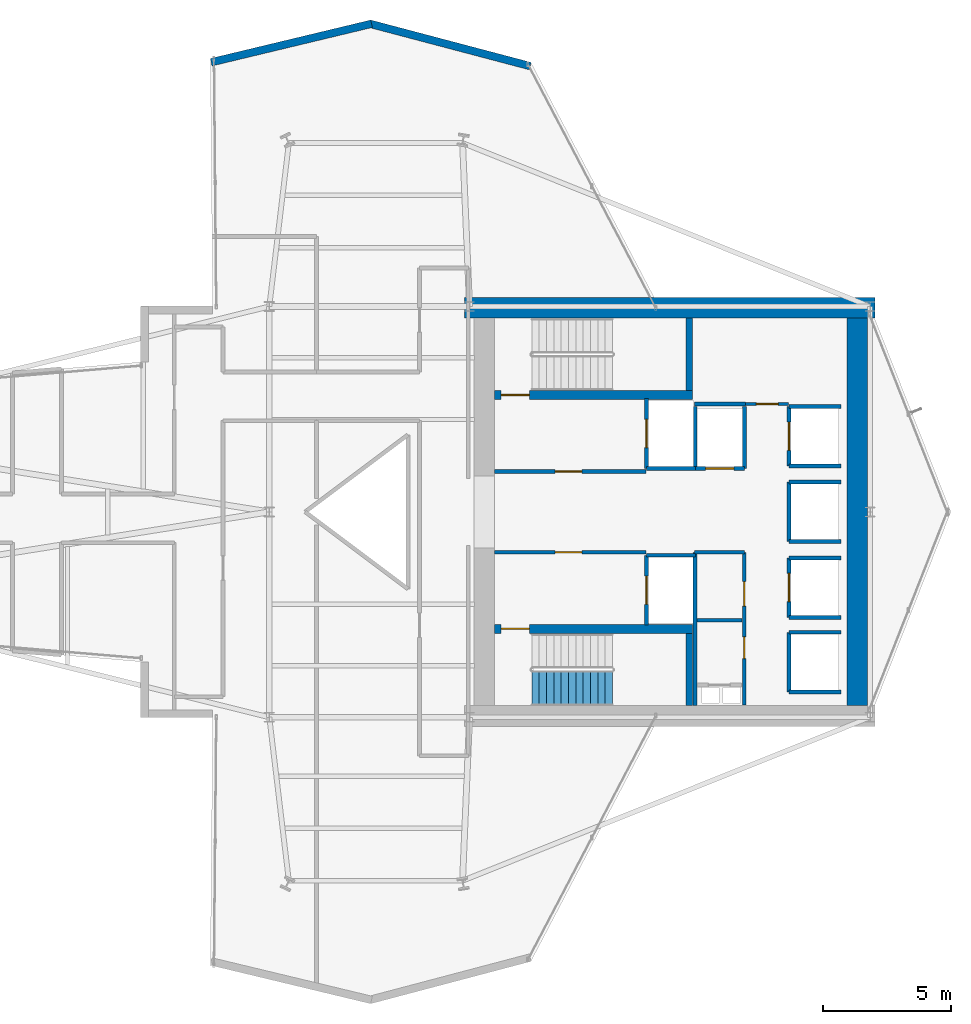
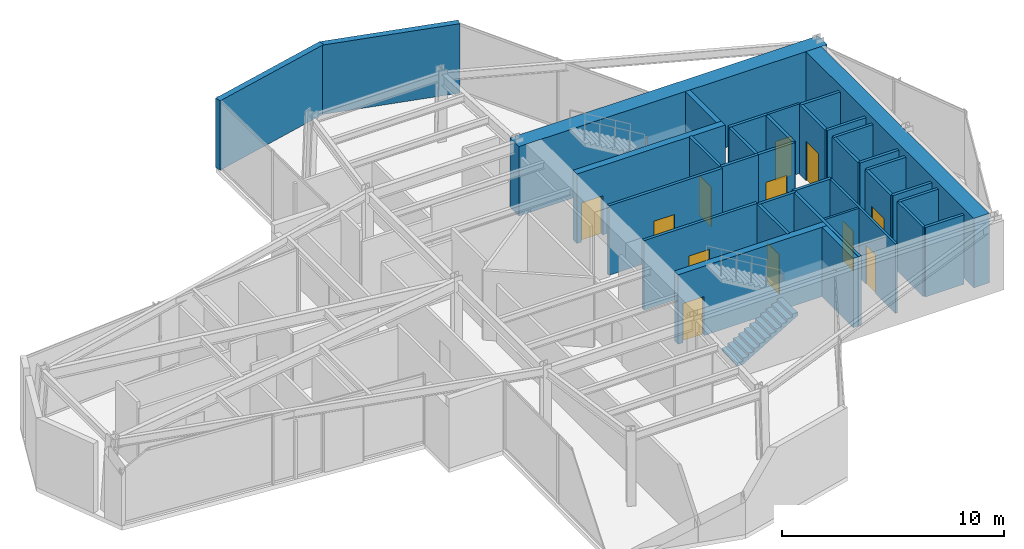
# One storey, part 23 of 25: 35 walls, 12 doors, 1 stair flight, 12 openings, 1 element without a shape of its own.
"""IFC4 building model written with IfcOpenShell, lengths in metres."""

from ifc_helpers import new_model, si_unit, direction, frame, frame_2d, origin, place, context, subcontext, project, spatial, polyline, rectangle, outline, extrude, material, layer, layer_set, type_object, element, fill, aggregate, save


model = new_model("IFC4")

# Units and contexts
model_context = context("Model", 3, precision=1e-05, world=origin(), true_north=direction((0.0, 1.0)))
body_context = subcontext(model_context, "Body", "Model", "MODEL_VIEW")
ifc_project = project(units=[si_unit("LENGTHUNIT", "METRE"), si_unit("AREAUNIT", "SQUARE_METRE"), si_unit("VOLUMEUNIT", "CUBIC_METRE"), si_unit("PLANEANGLEUNIT", "RADIAN"), si_unit("MASSUNIT", "GRAM", prefix="KILO")], contexts=[model_context])

# Site, building, storey
site_placement = place(None, origin())
site = spatial("IfcSite", under=ifc_project, at=site_placement, CompositionType="ELEMENT")
building_placement = place(site_placement, origin())
building = spatial("IfcBuilding", under=site, at=building_placement, Name="Veymaron Broadcast Tower", CompositionType="ELEMENT")
storey_placement = place(building_placement, frame((0.0, 0.0, 149.25)))
storey = spatial("IfcBuildingStorey", under=building, at=storey_placement, Name="L34", CompositionType="ELEMENT", Elevation=149.25)

# Walls
ifc_material_1 = material(Name="Precast concrete C40/50 with mineral-wool insulation", Category="concrete")
ifc_layer_1 = layer(ifc_material_1, 0.300048828125)
ifc_layer_set_1 = layer_set([ifc_layer_1], Name="Precast concrete C40/50 with mineral-wool insulation")
wall_type_1 = type_object("IfcWallType", Name="WALL-EXT-300", PredefinedType="STANDARD", material=ifc_layer_set_1)
wall_1_placement = place(storey_placement, frame((41.362060546875, 41.364501953125, 0.0), z_axis=(0.0, 0.0, 1.0), x_axis=(-0.966846094442, 0.255359804319, 0.0)))
element("IfcWall", 1, at=wall_1_placement, inside=storey, type_object=wall_type_1, Name="L34 notched corner facade pier 6-1", PredefinedType="STANDARD", context=body_context, shape_type="SweptSolid", body=[
    extrude(rectangle(XDim=6.462158203125, YDim=0.300048828125, at=frame_2d((3.23095703125, 0.0))), origin(), (0.0, 0.0, 1.0), 3.81005859375),
])
wall_2_placement = place(storey_placement, frame((35.1826171875, 43.013916015625, 0.0), z_axis=(0.0, 0.0, 1.0), x_axis=(-0.972368674271, -0.233450554286, 0.0)))
element("IfcWall", 2, at=wall_2_placement, inside=storey, type_object=wall_type_1, Name="L34 notched corner facade pier 7-1", PredefinedType="STANDARD", context=body_context, shape_type="SweptSolid", body=[
    extrude(rectangle(XDim=6.42529296875, YDim=0.300048828125, at=frame_2d((3.212646484375, 0.0))), origin(), (0.0, 0.0, 1.0), 3.81005859375),
])

# Wall, opening, door
ifc_material_2 = material(Name="Gypsum fireboard and steel stud framing", Category="steel")
ifc_layer_2 = layer(ifc_material_2, 0.14990234375)
ifc_layer_set_2 = layer_set([ifc_layer_2], Name="Gypsum fireboard and steel stud framing")
wall_type_2 = type_object("IfcWallType", Name="WALL-FIRE-150", PredefinedType="PARTITIONING", material=ifc_layer_set_2)
wall_3_placement = place(storey_placement, frame((39.97998046875, 25.574951171875, 0.0), z_axis=(0.0, 0.0, 1.0), x_axis=(1.0, 0.0, 0.0)))
wall_3 = element("IfcWall", 3, at=wall_3_placement, inside=storey, type_object=wall_type_2, Name="L34 partition IW-L34-FFLN-S", PredefinedType="PARTITIONING", context=body_context, shape_type="SweptSolid", body=[
    extrude(rectangle(XDim=5.89990234375, YDim=0.14990234375, at=frame_2d((2.949951171875, 0.0))), origin(), (0.0, 0.0, 1.0), 3.81005859375),
])
opening_1_placement = place(wall_3_placement, frame((2.35009765625, 0.0, 0.0)))
opening_1 = element("IfcOpeningElement", 4, at=opening_1_placement, cuts=wall_3, Name="Opening ID-FL1", PredefinedType="OPENING", context=body_context, shape_type="SweptSolid", body=[
    extrude(rectangle(XDim=1.050048828125, YDim=2.14990234375, at=frame_2d((0.52490234375, 1.074951171875))), frame((0.0, 0.0849609375, 0.0), z_axis=(0.0, -1.0, 0.0), x_axis=(1.0, 0.0, 0.0)), (0.0, 0.0, 1.0), 0.169921875),
])
ifc_material_3 = material(Name="Fire-rated painted hollow steel ASTM A653", Category="steel")
door_type_1 = type_object("IfcDoorType", Name="DOOR-FIRE-1050", OperationType="NOTDEFINED", PredefinedType="DOOR", material=ifc_material_3)
door_1_placement = place(opening_1_placement, origin())
door_1 = element("IfcDoor", 5, at=door_1_placement, inside=storey, type_object=door_type_1, Name="L34 door DR-L34-FFLN", OperationType="SINGLE_SWING_LEFT", OverallHeight=2.14990234375, OverallWidth=1.050048828125, PredefinedType="DOOR", context=body_context, shape_type="SweptSolid", body=[
    extrude(rectangle(XDim=1.050048828125, YDim=2.14990234375, at=frame_2d((0.52490234375, 1.074951171875))), frame((0.0, 0.02490234375, 0.0), z_axis=(0.0, -1.0, 0.0), x_axis=(1.0, 0.0, 0.0)), (0.0, 0.0, 1.0), 0.050048828125),
])
fill(opening_1, door_1)

wall_4_placement = place(storey_placement, frame((39.97998046875, 22.425048828125, 0.0), z_axis=(0.0, 0.0, 1.0), x_axis=(1.0, 0.0, 0.0)))
wall_4 = element("IfcWall", 6, at=wall_4_placement, inside=storey, type_object=wall_type_2, Name="L34 partition IW-L34-FFLS-N", PredefinedType="PARTITIONING", context=body_context, shape_type="SweptSolid", body=[
    extrude(rectangle(XDim=5.89990234375, YDim=0.14990234375, at=frame_2d((2.949951171875, 0.0))), origin(), (0.0, 0.0, 1.0), 3.81005859375),
])
opening_2_placement = place(wall_4_placement, frame((2.35009765625, 0.0, 0.0)))
opening_2 = element("IfcOpeningElement", 7, at=opening_2_placement, cuts=wall_4, Name="Opening ID-FL1", PredefinedType="OPENING", context=body_context, shape_type="SweptSolid", body=[
    extrude(rectangle(XDim=1.050048828125, YDim=2.14990234375, at=frame_2d((0.52490234375, 1.074951171875))), frame((0.0, 0.0849609375, 0.0), z_axis=(0.0, -1.0, 0.0), x_axis=(1.0, 0.0, 0.0)), (0.0, 0.0, 1.0), 0.169921875),
])
door_2_placement = place(opening_2_placement, frame((1.050048828125, 0.0, 0.0), z_axis=(0.0, 0.0, 1.0), x_axis=(-1.0, 0.0, 0.0)))
door_2 = element("IfcDoor", 8, at=door_2_placement, inside=storey, type_object=door_type_1, Name="L34 door DR-L34-FFLS", OperationType="SINGLE_SWING_RIGHT", OverallHeight=2.14990234375, OverallWidth=1.050048828125, PredefinedType="DOOR", context=body_context, shape_type="SweptSolid", body=[
    extrude(rectangle(XDim=1.050048828125, YDim=2.14990234375, at=frame_2d((0.52490234375, 1.074951171875))), frame((0.0, 0.02490234375, 0.0), z_axis=(0.0, -1.0, 0.0), x_axis=(1.0, 0.0, 0.0)), (0.0, 0.0, 1.0), 0.050048828125),
])
fill(opening_2, door_2)

wall_5_placement = place(storey_placement, frame((45.89501953125, 25.68994140625, 0.0), z_axis=(0.0, 0.0, 1.0), x_axis=(0.0, 1.0, 0.0)))
wall_5 = element("IfcWall", 9, at=wall_5_placement, inside=storey, type_object=wall_type_2, Name="L34 partition IW-L34-SHW-FFL-1", PredefinedType="PARTITIONING", context=body_context, shape_type="SweptSolid", body=[
    extrude(rectangle(XDim=2.719970703125, YDim=0.14990234375, at=frame_2d((1.35986328125, 0.0))), origin(), (0.0, 0.0, 1.0), 3.81005859375),
])
opening_3_placement = place(wall_5_placement, frame((0.81005859375, 0.0, 0.0)))
opening_3 = element("IfcOpeningElement", 10, at=opening_3_placement, cuts=wall_5, Name="Opening LD", PredefinedType="OPENING", context=body_context, shape_type="SweptSolid", body=[
    extrude(rectangle(XDim=1.10009765625, YDim=2.14990234375, at=frame_2d((0.550048828125, 1.074951171875))), frame((0.0, 0.0849609375, 0.0), z_axis=(0.0, -1.0, 0.0), x_axis=(1.0, 0.0, 0.0)), (0.0, 0.0, 1.0), 0.169921875),
])
ifc_material_4 = material(Name="Brushed stainless steel AISI 304", Category="steel")
door_type_2 = type_object("IfcDoorType", Name="DOOR-LIFT-1100", OperationType="DOUBLE_DOOR_SLIDING", PredefinedType="DOOR", material=ifc_material_4)
door_3_placement = place(opening_3_placement, frame((1.10009765625, 0.0, 0.0), z_axis=(0.0, 0.0, 1.0), x_axis=(-1.0, 0.0, 0.0)))
door_3 = element("IfcDoor", 11, at=door_3_placement, inside=storey, type_object=door_type_2, Name="L34 door LD-L34-FFL-1", OperationType="DOUBLE_DOOR_SLIDING", OverallHeight=2.14990234375, OverallWidth=1.10009765625, PredefinedType="DOOR", context=body_context, shape_type="SweptSolid", body=[
    extrude(rectangle(XDim=1.10009765625, YDim=2.14990234375, at=frame_2d((0.550048828125, 1.074951171875))), frame((0.0, 0.02490234375, 0.0), z_axis=(0.0, -1.0, 0.0), x_axis=(1.0, 0.0, 0.0)), (0.0, 0.0, 1.0), 0.050048828125),
])
fill(opening_3, door_3)

# Wall
wall_6_placement = place(storey_placement, frame((45.89501953125, 25.68994140625, 0.0), z_axis=(0.0, 0.0, 1.0), x_axis=(1.0, 0.0, 0.0)))
element("IfcWall", 12, at=wall_6_placement, inside=storey, type_object=wall_type_2, Name="L34 partition IW-L34-SHS-FFL-1", PredefinedType="PARTITIONING", context=body_context, shape_type="SweptSolid", body=[
    extrude(rectangle(XDim=1.9150390625, YDim=0.14990234375, at=frame_2d((0.95751953125, 0.0))), origin(), (0.0, 0.0, 1.0), 3.81005859375),
])

# Wall, opening, door
wall_7_placement = place(storey_placement, frame((45.89501953125, 19.590087890625, 0.0), z_axis=(0.0, 0.0, 1.0), x_axis=(0.0, 1.0, 0.0)))
wall_7 = element("IfcWall", 13, at=wall_7_placement, inside=storey, type_object=wall_type_2, Name="L34 partition IW-L34-SHW-FFL-2", PredefinedType="PARTITIONING", context=body_context, shape_type="SweptSolid", body=[
    extrude(rectangle(XDim=2.719970703125, YDim=0.14990234375, at=frame_2d((1.35986328125, 0.0))), origin(), (0.0, 0.0, 1.0), 3.81005859375),
])
opening_4_placement = place(wall_7_placement, frame((0.81005859375, 0.0, 0.0)))
opening_4 = element("IfcOpeningElement", 14, at=opening_4_placement, cuts=wall_7, Name="Opening LD", PredefinedType="OPENING", context=body_context, shape_type="SweptSolid", body=[
    extrude(rectangle(XDim=1.10009765625, YDim=2.14990234375, at=frame_2d((0.550048828125, 1.074951171875))), frame((0.0, 0.0849609375, 0.0), z_axis=(0.0, -1.0, 0.0), x_axis=(1.0, 0.0, 0.0)), (0.0, 0.0, 1.0), 0.169921875),
])
door_4_placement = place(opening_4_placement, frame((1.10009765625, 0.0, 0.0), z_axis=(0.0, 0.0, 1.0), x_axis=(-1.0, 0.0, 0.0)))
door_4 = element("IfcDoor", 15, at=door_4_placement, inside=storey, type_object=door_type_2, Name="L34 door LD-L34-FFL-2", OperationType="DOUBLE_DOOR_SLIDING", OverallHeight=2.14990234375, OverallWidth=1.10009765625, PredefinedType="DOOR", context=body_context, shape_type="SweptSolid", body=[
    extrude(rectangle(XDim=1.10009765625, YDim=2.14990234375, at=frame_2d((0.550048828125, 1.074951171875))), frame((0.0, 0.02490234375, 0.0), z_axis=(0.0, -1.0, 0.0), x_axis=(1.0, 0.0, 0.0)), (0.0, 0.0, 1.0), 0.050048828125),
])
fill(opening_4, door_4)

# Wall
wall_8_placement = place(storey_placement, frame((45.89501953125, 22.31005859375, 0.0), z_axis=(0.0, 0.0, 1.0), x_axis=(1.0, 0.0, 0.0)))
element("IfcWall", 16, at=wall_8_placement, inside=storey, type_object=wall_type_2, Name="L34 partition IW-L34-SHN-FFL-2", PredefinedType="PARTITIONING", context=body_context, shape_type="SweptSolid", body=[
    extrude(rectangle(XDim=1.9150390625, YDim=0.14990234375, at=frame_2d((0.95751953125, 0.0))), origin(), (0.0, 0.0, 1.0), 3.81005859375),
])

# Wall, opening, door
wall_9_placement = place(storey_placement, frame((47.7900390625, 25.695068359375, 0.0), z_axis=(0.0, 0.0, 1.0), x_axis=(1.0, 0.0, 0.0)))
wall_9 = element("IfcWall", 17, at=wall_9_placement, inside=storey, type_object=wall_type_2, Name="L34 partition IW-L34-SHS-SL-1", PredefinedType="PARTITIONING", context=body_context, shape_type="SweptSolid", body=[
    extrude(rectangle(XDim=1.919921875, YDim=0.14990234375, at=frame_2d((0.9599609375, 0.0))), origin(), (0.0, 0.0, 1.0), 3.81005859375),
])
opening_5_placement = place(wall_9_placement, frame((0.409912109375, 0.0, 0.0)))
opening_5 = element("IfcOpeningElement", 18, at=opening_5_placement, cuts=wall_9, Name="Opening LD", PredefinedType="OPENING", context=body_context, shape_type="SweptSolid", body=[
    extrude(rectangle(XDim=1.10009765625, YDim=2.14990234375, at=frame_2d((0.550048828125, 1.074951171875))), frame((0.0, 0.0849609375, 0.0), z_axis=(0.0, -1.0, 0.0), x_axis=(1.0, 0.0, 0.0)), (0.0, 0.0, 1.0), 0.169921875),
])
door_5_placement = place(opening_5_placement, frame((1.10009765625, 0.0, 0.0), z_axis=(0.0, 0.0, 1.0), x_axis=(-1.0, 0.0, 0.0)))
door_5 = element("IfcDoor", 19, at=door_5_placement, inside=storey, type_object=door_type_2, Name="L34 door LD-L34-SL-1", OperationType="DOUBLE_DOOR_SLIDING", OverallHeight=2.14990234375, OverallWidth=1.10009765625, PredefinedType="DOOR", context=body_context, shape_type="SweptSolid", body=[
    extrude(rectangle(XDim=1.10009765625, YDim=2.14990234375, at=frame_2d((0.550048828125, 1.074951171875))), frame((0.0, 0.02490234375, 0.0), z_axis=(0.0, -1.0, 0.0), x_axis=(1.0, 0.0, 0.0)), (0.0, 0.0, 1.0), 0.050048828125),
])
fill(opening_5, door_5)

# Walls
for number, where, z_axis, x_axis, name in (
    (20, (47.7900390625, 25.695068359375, 0.0), (0.0, 0.0, 1.0), (0.0, 1.0, 0.0), "L34 partition IW-L34-SHW-SL-1"),
    (21, (49.7099609375, 25.695068359375, 0.0), (0.0, 0.0, 1.0), (0.0, 1.0, 0.0), "L34 partition IW-L34-SHE-SL-1"),
):
    element("IfcWall", number, at=place(storey_placement, frame(where, z_axis=z_axis, x_axis=x_axis)), inside=storey, type_object=wall_type_2, Name=name, PredefinedType="PARTITIONING", context=body_context, shape_type="SweptSolid", body=[
        extrude(rectangle(XDim=2.4150390625, YDim=0.14990234375, at=frame_2d((1.20751953125, 0.0))), origin(), (0.0, 0.0, 1.0), 3.81005859375),
    ])

# Wall, opening, door
wall_10_placement = place(storey_placement, frame((51.445068359375, 25.7900390625, 0.0), z_axis=(0.0, 0.0, 1.0), x_axis=(0.0, 1.0, 0.0)))
wall_10 = element("IfcWall", 22, at=wall_10_placement, inside=storey, type_object=wall_type_2, Name="L34 partition IW-L34-SHW-PM1", PredefinedType="PARTITIONING", context=body_context, shape_type="SweptSolid", body=[
    extrude(rectangle(XDim=2.320068359375, YDim=0.14990234375, at=frame_2d((1.16015625, 0.0))), origin(), (0.0, 0.0, 1.0), 3.81005859375),
])
opening_6_placement = place(wall_10_placement, frame((0.610107421875, 0.0, 0.0)))
opening_6 = element("IfcOpeningElement", 23, at=opening_6_placement, cuts=wall_10, Name="Opening LD", PredefinedType="OPENING", context=body_context, shape_type="SweptSolid", body=[
    extrude(rectangle(XDim=1.10009765625, YDim=2.14990234375, at=frame_2d((0.550048828125, 1.074951171875))), frame((0.0, 0.0849609375, 0.0), z_axis=(0.0, -1.0, 0.0), x_axis=(1.0, 0.0, 0.0)), (0.0, 0.0, 1.0), 0.169921875),
])
door_6_placement = place(opening_6_placement, frame((1.10009765625, 0.0, 0.0), z_axis=(0.0, 0.0, 1.0), x_axis=(-1.0, 0.0, 0.0)))
door_6 = element("IfcDoor", 24, at=door_6_placement, inside=storey, type_object=door_type_2, Name="L34 door LD-L34-PM1", OperationType="DOUBLE_DOOR_SLIDING", OverallHeight=2.14990234375, OverallWidth=1.10009765625, PredefinedType="DOOR", context=body_context, shape_type="SweptSolid", body=[
    extrude(rectangle(XDim=1.10009765625, YDim=2.14990234375, at=frame_2d((0.550048828125, 1.074951171875))), frame((0.0, 0.02490234375, 0.0), z_axis=(0.0, -1.0, 0.0), x_axis=(1.0, 0.0, 0.0)), (0.0, 0.0, 1.0), 0.050048828125),
])
fill(opening_6, door_6)

# Walls
for number, where, z_axis, x_axis, name in (
    (25, (51.445068359375, 25.7900390625, 0.0), (0.0, 0.0, 1.0), (1.0, 0.0, 0.0), "L34 partition IW-L34-SHS-PM1"),
    (26, (51.445068359375, 28.110107421875, 0.0), (0.0, 0.0, 1.0), (1.0, 0.0, 0.0), "L34 partition IW-L34-SHN-PM1"),
):
    element("IfcWall", number, at=place(storey_placement, frame(where, z_axis=z_axis, x_axis=x_axis)), inside=storey, type_object=wall_type_2, Name=name, PredefinedType="PARTITIONING", context=body_context, shape_type="SweptSolid", body=[
        extrude(rectangle(XDim=2.014892578125, YDim=0.14990234375, at=frame_2d((1.00732421875, 0.0))), origin(), (0.0, 0.0, 1.0), 3.81005859375),
    ])

# Wall, opening, door
wall_11_placement = place(storey_placement, frame((51.445068359375, 19.889892578125, 0.0), z_axis=(0.0, 0.0, 1.0), x_axis=(0.0, 1.0, 0.0)))
wall_11 = element("IfcWall", 27, at=wall_11_placement, inside=storey, type_object=wall_type_2, Name="L34 partition IW-L34-SHW-PM2", PredefinedType="PARTITIONING", context=body_context, shape_type="SweptSolid", body=[
    extrude(rectangle(XDim=2.320068359375, YDim=0.14990234375, at=frame_2d((1.16015625, 0.0))), origin(), (0.0, 0.0, 1.0), 3.81005859375),
])
opening_7_placement = place(wall_11_placement, frame((0.610107421875, 0.0, 0.0)))
opening_7 = element("IfcOpeningElement", 28, at=opening_7_placement, cuts=wall_11, Name="Opening LD", PredefinedType="OPENING", context=body_context, shape_type="SweptSolid", body=[
    extrude(rectangle(XDim=1.10009765625, YDim=2.14990234375, at=frame_2d((0.550048828125, 1.074951171875))), frame((0.0, 0.0849609375, 0.0), z_axis=(0.0, -1.0, 0.0), x_axis=(1.0, 0.0, 0.0)), (0.0, 0.0, 1.0), 0.169921875),
])
door_7_placement = place(opening_7_placement, frame((1.10009765625, 0.0, 0.0), z_axis=(0.0, 0.0, 1.0), x_axis=(-1.0, 0.0, 0.0)))
door_7 = element("IfcDoor", 29, at=door_7_placement, inside=storey, type_object=door_type_2, Name="L34 door LD-L34-PM2", OperationType="DOUBLE_DOOR_SLIDING", OverallHeight=2.14990234375, OverallWidth=1.10009765625, PredefinedType="DOOR", context=body_context, shape_type="SweptSolid", body=[
    extrude(rectangle(XDim=1.10009765625, YDim=2.14990234375, at=frame_2d((0.550048828125, 1.074951171875))), frame((0.0, 0.02490234375, 0.0), z_axis=(0.0, -1.0, 0.0), x_axis=(1.0, 0.0, 0.0)), (0.0, 0.0, 1.0), 0.050048828125),
])
fill(opening_7, door_7)

# Walls
for number, where, z_axis, x_axis, name in (
    (30, (51.445068359375, 19.889892578125, 0.0), (0.0, 0.0, 1.0), (1.0, 0.0, 0.0), "L34 partition IW-L34-SHS-PM2"),
    (31, (51.445068359375, 22.2099609375, 0.0), (0.0, 0.0, 1.0), (1.0, 0.0, 0.0), "L34 partition IW-L34-SHN-PM2"),
):
    element("IfcWall", number, at=place(storey_placement, frame(where, z_axis=z_axis, x_axis=x_axis)), inside=storey, type_object=wall_type_2, Name=name, PredefinedType="PARTITIONING", context=body_context, shape_type="SweptSolid", body=[
        extrude(rectangle(XDim=2.014892578125, YDim=0.14990234375, at=frame_2d((1.00732421875, 0.0))), origin(), (0.0, 0.0, 1.0), 3.81005859375),
    ])
wall_12_placement = place(storey_placement, frame((51.445068359375, 22.840087890625, 0.0), z_axis=(0.0, 0.0, 1.0), x_axis=(0.0, 1.0, 0.0)))
element("IfcWall", 32, at=wall_12_placement, inside=storey, type_object=wall_type_2, Name="L34 partition IW-L34-SHW-PM3", PredefinedType="PARTITIONING", context=body_context, shape_type="SweptSolid", body=[
    extrude(rectangle(XDim=2.31982421875, YDim=0.14990234375, at=frame_2d((1.159912109375, 0.0))), origin(), (0.0, 0.0, 1.0), 3.81005859375),
])
for number, where, z_axis, x_axis, name in (
    (33, (51.445068359375, 22.840087890625, 0.0), (0.0, 0.0, 1.0), (1.0, 0.0, 0.0), "L34 partition IW-L34-SHS-PM3"),
    (34, (51.445068359375, 25.159912109375, 0.0), (0.0, 0.0, 1.0), (1.0, 0.0, 0.0), "L34 partition IW-L34-SHN-PM3"),
):
    element("IfcWall", number, at=place(storey_placement, frame(where, z_axis=z_axis, x_axis=x_axis)), inside=storey, type_object=wall_type_2, Name=name, PredefinedType="PARTITIONING", context=body_context, shape_type="SweptSolid", body=[
        extrude(rectangle(XDim=2.014892578125, YDim=0.14990234375, at=frame_2d((1.00732421875, 0.0))), origin(), (0.0, 0.0, 1.0), 3.81005859375),
    ])
wall_13_placement = place(storey_placement, frame((51.445068359375, 16.989990234375, 0.0), z_axis=(0.0, 0.0, 1.0), x_axis=(0.0, 1.0, 0.0)))
element("IfcWall", 35, at=wall_13_placement, inside=storey, type_object=wall_type_2, Name="L34 partition IW-L34-SHW-PH1", PredefinedType="PARTITIONING", context=body_context, shape_type="SweptSolid", body=[
    extrude(rectangle(XDim=2.320068359375, YDim=0.14990234375, at=frame_2d((1.16015625, 0.0))), origin(), (0.0, 0.0, 1.0), 3.81005859375),
])
for number, where, z_axis, x_axis, name in (
    (36, (51.445068359375, 16.989990234375, 0.0), (0.0, 0.0, 1.0), (1.0, 0.0, 0.0), "L34 partition IW-L34-SHS-PH1"),
    (37, (51.445068359375, 19.31005859375, 0.0), (0.0, 0.0, 1.0), (1.0, 0.0, 0.0), "L34 partition IW-L34-SHN-PH1"),
):
    element("IfcWall", number, at=place(storey_placement, frame(where, z_axis=z_axis, x_axis=x_axis)), inside=storey, type_object=wall_type_2, Name=name, PredefinedType="PARTITIONING", context=body_context, shape_type="SweptSolid", body=[
        extrude(rectangle(XDim=2.014892578125, YDim=0.14990234375, at=frame_2d((1.00732421875, 0.0))), origin(), (0.0, 0.0, 1.0), 3.81005859375),
    ])
wall_14_placement = place(storey_placement, frame((47.760009765625, 22.425048828125, 0.0), z_axis=(0.0, 0.0, 1.0), x_axis=(1.0, 0.0, 0.0)))
element("IfcWall", 38, at=wall_14_placement, inside=storey, type_object=wall_type_2, Name="L34 partition IW-L34-SM-N", PredefinedType="PARTITIONING", context=body_context, shape_type="SweptSolid", body=[
    extrude(rectangle(XDim=1.9599609375, YDim=0.14990234375, at=frame_2d((0.97998046875, 0.0))), origin(), (0.0, 0.0, 1.0), 3.81005859375),
])
wall_15_placement = place(storey_placement, frame((47.780029296875, 16.449951171875, 0.0), z_axis=(0.0, 0.0, 1.0), x_axis=(0.0, 1.0, 0.0)))
element("IfcWall", 39, at=wall_15_placement, inside=storey, type_object=wall_type_2, Name="L34 partition IW-L34-SM-W", PredefinedType="PARTITIONING", context=body_context, shape_type="SweptSolid", body=[
    extrude(rectangle(XDim=5.97509765625, YDim=0.14990234375, at=frame_2d((2.987548828125, 0.0))), origin(), (0.0, 0.0, 1.0), 3.81005859375),
])
wall_16_placement = place(storey_placement, frame((47.760009765625, 28.199951171875, 0.0), z_axis=(0.0, 0.0, 1.0), x_axis=(1.0, 0.0, 0.0)))
element("IfcWall", 40, at=wall_16_placement, inside=storey, type_object=wall_type_2, Name="L34 partition IW-L34-F1-SW", PredefinedType="PARTITIONING", context=body_context, shape_type="SweptSolid", body=[
    extrude(rectangle(XDim=1.989990234375, YDim=0.14990234375, at=frame_2d((0.9951171875, 0.0))), origin(), (0.0, 0.0, 1.0), 3.81005859375),
])
ifc_material_5 = material(Name="Acoustic gypsum board and galvanized stud", Category="gypsum")
ifc_layer_3 = layer(ifc_material_5, 0.1201171875)
ifc_layer_set_3 = layer_set([ifc_layer_3], Name="Acoustic gypsum board and galvanized stud")
wall_type_3 = type_object("IfcWallType", Name="WALL-PART-120", PredefinedType="PARTITIONING", material=ifc_layer_set_3)
wall_17_placement = place(storey_placement, frame((47.860107421875, 19.780029296875, 0.0), z_axis=(0.0, 0.0, 1.0), x_axis=(1.0, 0.0, 0.0)))
element("IfcWall", 41, at=wall_17_placement, inside=storey, type_object=wall_type_3, Name="L34 partition IW-L34-SM-DIV", PredefinedType="PARTITIONING", context=body_context, shape_type="SweptSolid", body=[
    extrude(rectangle(XDim=1.760009765625, YDim=0.1201171875, at=frame_2d((0.8798828125, 0.0))), origin(), (0.0, 0.0, 1.0), 3.81005859375),
])

# Wall, openings, doors
wall_18_placement = place(storey_placement, frame((49.699951171875, 16.47998046875, 0.0), z_axis=(0.0, 0.0, 1.0), x_axis=(0.0, 1.0, 0.0)))
wall_18 = element("IfcWall", 42, at=wall_18_placement, inside=storey, type_object=wall_type_3, Name="L34 partition IW-L34-SM-E", PredefinedType="PARTITIONING", context=body_context, shape_type="SweptSolid", body=[
    extrude(rectangle(XDim=5.945068359375, YDim=0.1201171875, at=frame_2d((2.97265625, 0.0))), origin(), (0.0, 0.0, 1.0), 3.81005859375),
])
opening_8_placement = place(wall_18_placement, frame((1.800048828125, 0.0, 0.0)))
opening_8 = element("IfcOpeningElement", 43, at=opening_8_placement, cuts=wall_18, Name="Opening ID-WC1", PredefinedType="OPENING", context=body_context, shape_type="SweptSolid", body=[
    extrude(rectangle(XDim=0.85009765625, YDim=2.14990234375, at=frame_2d((0.425048828125, 1.074951171875))), frame((0.0, 0.070068359375, 0.0), z_axis=(0.0, -1.0, 0.0), x_axis=(1.0, 0.0, 0.0)), (0.0, 0.0, 1.0), 0.14013671875),
])
opening_9_placement = place(wall_18_placement, frame((3.85009765625, 0.0, 0.0)))
opening_9 = element("IfcOpeningElement", 44, at=opening_9_placement, cuts=wall_18, Name="Opening ID-RM1", PredefinedType="OPENING", context=body_context, shape_type="SweptSolid", body=[
    extrude(rectangle(XDim=0.949951171875, YDim=2.14990234375, at=frame_2d((0.47509765625, 1.074951171875))), frame((0.0, 0.070068359375, 0.0), z_axis=(0.0, -1.0, 0.0), x_axis=(1.0, 0.0, 0.0)), (0.0, 0.0, 1.0), 0.14013671875),
])
ifc_material_6 = material(Name="Moisture-resistant high-pressure laminate timber", Category="wood")
door_type_3 = type_object("IfcDoorType", Name="DOOR-INT-850", OperationType="NOTDEFINED", PredefinedType="DOOR", material=ifc_material_6)
door_8_placement = place(opening_8_placement, frame((0.85009765625, 0.0, 0.0), z_axis=(0.0, 0.0, 1.0), x_axis=(-1.0, 0.0, 0.0)))
door_8 = element("IfcDoor", 45, at=door_8_placement, inside=storey, type_object=door_type_3, Name="L34 door DR-L34-SWC", OperationType="SINGLE_SWING_LEFT", OverallHeight=2.14990234375, OverallWidth=0.85009765625, PredefinedType="DOOR", context=body_context, shape_type="SweptSolid", body=[
    extrude(rectangle(XDim=0.85009765625, YDim=2.14990234375, at=frame_2d((0.425048828125, 1.074951171875))), frame((0.0, 0.02490234375, 0.0), z_axis=(0.0, -1.0, 0.0), x_axis=(1.0, 0.0, 0.0)), (0.0, 0.0, 1.0), 0.050048828125),
])
fill(opening_8, door_8)
ifc_material_7 = material(Name="Acoustic solid-core European oak veneer timber", Category="wood")
door_type_4 = type_object("IfcDoorType", Name="DOOR-INT-950", OperationType="NOTDEFINED", PredefinedType="DOOR", material=ifc_material_7)
door_9_placement = place(opening_9_placement, frame((0.949951171875, 0.0, 0.0), z_axis=(0.0, 0.0, 1.0), x_axis=(-1.0, 0.0, 0.0)))
door_9 = element("IfcDoor", 46, at=door_9_placement, inside=storey, type_object=door_type_4, Name="L34 door DR-L34-AWC", OperationType="SINGLE_SWING_RIGHT", OverallHeight=2.14990234375, OverallWidth=0.949951171875, PredefinedType="DOOR", context=body_context, shape_type="SweptSolid", body=[
    extrude(rectangle(XDim=0.949951171875, YDim=2.14990234375, at=frame_2d((0.47509765625, 1.074951171875))), frame((0.0, 0.02490234375, 0.0), z_axis=(0.0, -1.0, 0.0), x_axis=(1.0, 0.0, 0.0)), (0.0, 0.0, 1.0), 0.050048828125),
])
fill(opening_9, door_9)

# Wall, opening, door
wall_19_placement = place(storey_placement, frame((49.75, 28.199951171875, 0.0), z_axis=(0.0, 0.0, 1.0), x_axis=(1.0, 0.0, 0.0)))
wall_19 = element("IfcWall", 47, at=wall_19_placement, inside=storey, type_object=wall_type_3, Name="L34 partition IW-L34-F1-S", PredefinedType="PARTITIONING", context=body_context, shape_type="SweptSolid", body=[
    extrude(rectangle(XDim=1.669921875, YDim=0.1201171875, at=frame_2d((0.8349609375, 0.0))), origin(), (0.0, 0.0, 1.0), 3.81005859375),
])
opening_10_placement = place(wall_19_placement, frame((0.419921875, 0.0, 0.0)))
opening_10 = element("IfcOpeningElement", 48, at=opening_10_placement, cuts=wall_19, Name="Opening ID-WC1", PredefinedType="OPENING", context=body_context, shape_type="SweptSolid", body=[
    extrude(rectangle(XDim=0.85009765625, YDim=2.14990234375, at=frame_2d((0.425048828125, 1.074951171875))), frame((0.0, 0.070068359375, 0.0), z_axis=(0.0, -1.0, 0.0), x_axis=(1.0, 0.0, 0.0)), (0.0, 0.0, 1.0), 0.14013671875),
])
door_10_placement = place(opening_10_placement, origin())
door_10 = element("IfcDoor", 49, at=door_10_placement, inside=storey, type_object=door_type_3, Name="L34 door DR-L34-F1A", OperationType="SINGLE_SWING_LEFT", OverallHeight=2.14990234375, OverallWidth=0.85009765625, PredefinedType="DOOR", context=body_context, shape_type="SweptSolid", body=[
    extrude(rectangle(XDim=0.85009765625, YDim=2.14990234375, at=frame_2d((0.425048828125, 1.074951171875))), frame((0.0, 0.02490234375, 0.0), z_axis=(0.0, -1.0, 0.0), x_axis=(1.0, 0.0, 0.0)), (0.0, 0.0, 1.0), 0.050048828125),
])
fill(opening_10, door_10)

# Walls
ifc_material_8 = material(Name="Concrete C50/60", Category="concrete")
ifc_layer_4 = layer(ifc_material_8, 0.25)
ifc_layer_set_4 = layer_set([ifc_layer_4], Name="Concrete C50/60")
wall_type_4 = type_object("IfcWallType", Name="WALL-SHEAR-250", PredefinedType="SHEAR", material=ifc_layer_set_4)
for number, where, z_axis, x_axis, name in (
    (50, (47.56494140625, 28.72998046875, 0.0), (0.0, 0.0, 1.0), (0.0, 1.0, 0.0), "L34 Core Wall north stair east shear"),
    (51, (47.56494140625, 16.449951171875, 0.0), (0.0, 0.0, 1.0), (0.0, 1.0, 0.0), "L34 Core Wall south stair east shear"),
):
    element("IfcWall", number, at=place(storey_placement, frame(where, z_axis=z_axis, x_axis=x_axis)), inside=storey, type_object=wall_type_4, Name=name, PredefinedType="SHEAR", context=body_context, shape_type="SweptSolid", body=[
        extrude(rectangle(XDim=2.820068359375, YDim=0.25, at=frame_2d((1.41015625, 0.0))), origin(), (0.0, 0.0, 1.0), 3.81005859375),
    ])

# Wall, opening, door
ifc_layer_5 = layer(ifc_material_8, 0.35009765625)
ifc_layer_set_5 = layer_set([ifc_layer_5], Name="Concrete C50/60")
wall_type_5 = type_object("IfcWallType", Name="WALL-SHEAR-350", PredefinedType="SHEAR", material=ifc_layer_set_5)
wall_20_placement = place(storey_placement, frame((39.97998046875, 28.554931640625, 0.0), z_axis=(0.0, 0.0, 1.0), x_axis=(1.0, 0.0, 0.0)))
wall_20 = element("IfcWall", 52, at=wall_20_placement, inside=storey, type_object=wall_type_5, Name="L34 Core Wall north stair spine", PredefinedType="SHEAR", context=body_context, shape_type="SweptSolid", body=[
    extrude(rectangle(XDim=7.7099609375, YDim=0.35009765625, at=frame_2d((3.85498046875, 0.0))), origin(), (0.0, 0.0, 1.0), 3.81005859375),
])
opening_11_placement = place(wall_20_placement, frame((0.25, 0.0, 0.0)))
opening_11 = element("IfcOpeningElement", 53, at=opening_11_placement, cuts=wall_20, Name="Opening ID-ST1", PredefinedType="OPENING", context=body_context, shape_type="SweptSolid", body=[
    extrude(rectangle(XDim=1.10009765625, YDim=2.14990234375, at=frame_2d((0.550048828125, 1.074951171875))), frame((0.0, 0.18505859375, 0.0), z_axis=(0.0, -1.0, 0.0), x_axis=(1.0, 0.0, 0.0)), (0.0, 0.0, 1.0), 0.3701171875),
])
door_type_5 = type_object("IfcDoorType", Name="DOOR-STAIR-1100", OperationType="NOTDEFINED", PredefinedType="DOOR", material=ifc_material_3)
door_11_placement = place(opening_11_placement, origin())
door_11 = element("IfcDoor", 54, at=door_11_placement, inside=storey, type_object=door_type_5, Name="L34 exit stair ST1 fire door", OperationType="SINGLE_SWING_LEFT", OverallHeight=2.14990234375, OverallWidth=1.10009765625, PredefinedType="DOOR", context=body_context, shape_type="SweptSolid", body=[
    extrude(rectangle(XDim=1.10009765625, YDim=2.14990234375, at=frame_2d((0.550048828125, 1.074951171875))), frame((0.0, 0.02490234375, 0.0), z_axis=(0.0, -1.0, 0.0), x_axis=(1.0, 0.0, 0.0)), (0.0, 0.0, 1.0), 0.050048828125),
])
fill(opening_11, door_11)

wall_21_placement = place(storey_placement, frame((39.97998046875, 19.445068359375, 0.0), z_axis=(0.0, 0.0, 1.0), x_axis=(1.0, 0.0, 0.0)))
wall_21 = element("IfcWall", 55, at=wall_21_placement, inside=storey, type_object=wall_type_5, Name="L34 Core Wall south stair spine", PredefinedType="SHEAR", context=body_context, shape_type="SweptSolid", body=[
    extrude(rectangle(XDim=7.7099609375, YDim=0.35009765625, at=frame_2d((3.85498046875, 0.0))), origin(), (0.0, 0.0, 1.0), 3.81005859375),
])
opening_12_placement = place(wall_21_placement, frame((0.25, 0.0, 0.0)))
opening_12 = element("IfcOpeningElement", 56, at=opening_12_placement, cuts=wall_21, Name="Opening ID-ST1", PredefinedType="OPENING", context=body_context, shape_type="SweptSolid", body=[
    extrude(rectangle(XDim=1.10009765625, YDim=2.14990234375, at=frame_2d((0.550048828125, 1.074951171875))), frame((0.0, 0.18505859375, 0.0), z_axis=(0.0, -1.0, 0.0), x_axis=(1.0, 0.0, 0.0)), (0.0, 0.0, 1.0), 0.3701171875),
])
door_12_placement = place(opening_12_placement, frame((1.10009765625, 0.0, 0.0), z_axis=(0.0, 0.0, 1.0), x_axis=(-1.0, 0.0, 0.0)))
door_12 = element("IfcDoor", 57, at=door_12_placement, inside=storey, type_object=door_type_5, Name="L34 exit stair ST2 fire door", OperationType="SINGLE_SWING_RIGHT", OverallHeight=2.14990234375, OverallWidth=1.10009765625, PredefinedType="DOOR", context=body_context, shape_type="SweptSolid", body=[
    extrude(rectangle(XDim=1.10009765625, YDim=2.14990234375, at=frame_2d((0.550048828125, 1.074951171875))), frame((0.0, 0.02490234375, 0.0), z_axis=(0.0, -1.0, 0.0), x_axis=(1.0, 0.0, 0.0)), (0.0, 0.0, 1.0), 0.050048828125),
])
fill(opening_12, door_12)

# Walls
ifc_material_9 = material(Name="Concrete C60/75", Category="concrete")
ifc_layer_6 = layer(ifc_material_9, 0.800048828125)
ifc_layer_set_6 = layer_set([ifc_layer_6], Name="Concrete C60/75")
wall_type_6 = type_object("IfcWallType", Name="WALL-SHEAR-800", PredefinedType="SHEAR", material=ifc_layer_set_6)
wall_22_placement = place(storey_placement, frame((38.800048828125, 31.949951171875, 0.0), z_axis=(0.0, 0.0, 1.0), x_axis=(1.0, 0.0, 0.0)))
element("IfcWall", 58, at=wall_22_placement, inside=storey, type_object=wall_type_6, Name="L34 Core Wall north shear", PredefinedType="SHEAR", context=body_context, shape_type="SweptSolid", body=[
    extrude(rectangle(XDim=16.0, YDim=0.800048828125, at=frame_2d((8.0, 0.0))), origin(), (0.0, 0.0, 1.0), 3.81005859375),
])
wall_23_placement = place(storey_placement, frame((54.10009765625, 16.449951171875, 0.0), z_axis=(0.0, 0.0, 1.0), x_axis=(0.0, 1.0, 0.0)))
element("IfcWall", 59, at=wall_23_placement, inside=storey, type_object=wall_type_6, Name="L34 Core Wall east shear", PredefinedType="SHEAR", context=body_context, shape_type="SweptSolid", body=[
    extrude(rectangle(XDim=15.10009765625, YDim=0.800048828125, at=frame_2d((7.550048828125, 0.0))), origin(), (0.0, 0.0, 1.0), 3.81005859375),
])

# Stair, stair flight
stair_type = type_object("IfcStairType", Name="STAIR-CORE-2", PredefinedType="HALF_TURN_STAIR", material=ifc_material_8)
stair_placement = place(storey_placement, origin())
stair = element("IfcStair", 60, at=stair_placement, inside=storey, type_object=stair_type, Name="L34 South protected dog-leg exit stair ST2", PredefinedType="HALF_TURN_STAIR")
ifc_material_10 = material(Name="Precast concrete C50/60", Category="concrete")
stair_flight_type = type_object("IfcStairFlightType", Name="FLT-CORE-RC", PredefinedType="STRAIGHT", material=ifc_material_10)
stair_flight_placement = place(storey_placement, frame((41.429931640625, 17.139892578125, 0.0), z_axis=(0.0, 0.0, 1.0), x_axis=(1.0, 0.0, 0.0)))
stair_flight = element("IfcStairFlight", 61, at=stair_flight_placement, type_object=stair_flight_type, Name="ST2 flight 1", NumberOfRisers=12, NumberOfTreads=11, PredefinedType="STRAIGHT", RiserHeight=0.16875, TreadLength=0.285, context=body_context, shape_type="SweptSolid", body=[
    extrude(outline(polyline([(0.0, 0.0), (0.0, 0.168701171875), (0.284912109375, 0.168701171875), (0.284912109375, 0.33740234375), (0.570068359375, 0.33740234375), (0.570068359375, 0.50634765625), (0.85498046875, 0.50634765625), (0.85498046875, 0.675048828125), (1.139892578125, 0.675048828125), (1.139892578125, 0.84375), (1.425048828125, 0.84375), (1.425048828125, 1.012451171875), (1.7099609375, 1.012451171875), (1.7099609375, 1.18115234375), (1.9951171875, 1.18115234375), (1.9951171875, 1.35009765625), (2.280029296875, 1.35009765625), (2.280029296875, 1.518798828125), (2.56494140625, 1.518798828125), (2.56494140625, 1.6875), (2.85009765625, 1.6875), (2.85009765625, 1.856201171875), (3.135009765625, 1.856201171875), (3.135009765625, 2.02490234375), (3.135009765625, 1.68212890625), (0.294189453125, 0.0), (0.0, 0.0)])), frame((0.0, 0.68994140625, 0.0), z_axis=(0.0, -1.0, 0.0), x_axis=(1.0, 0.0, 0.0)), (0.0, 0.0, 1.0), 1.3798828125),
])
aggregate(stair, [stair_flight])

save(model, "model.ifc")
